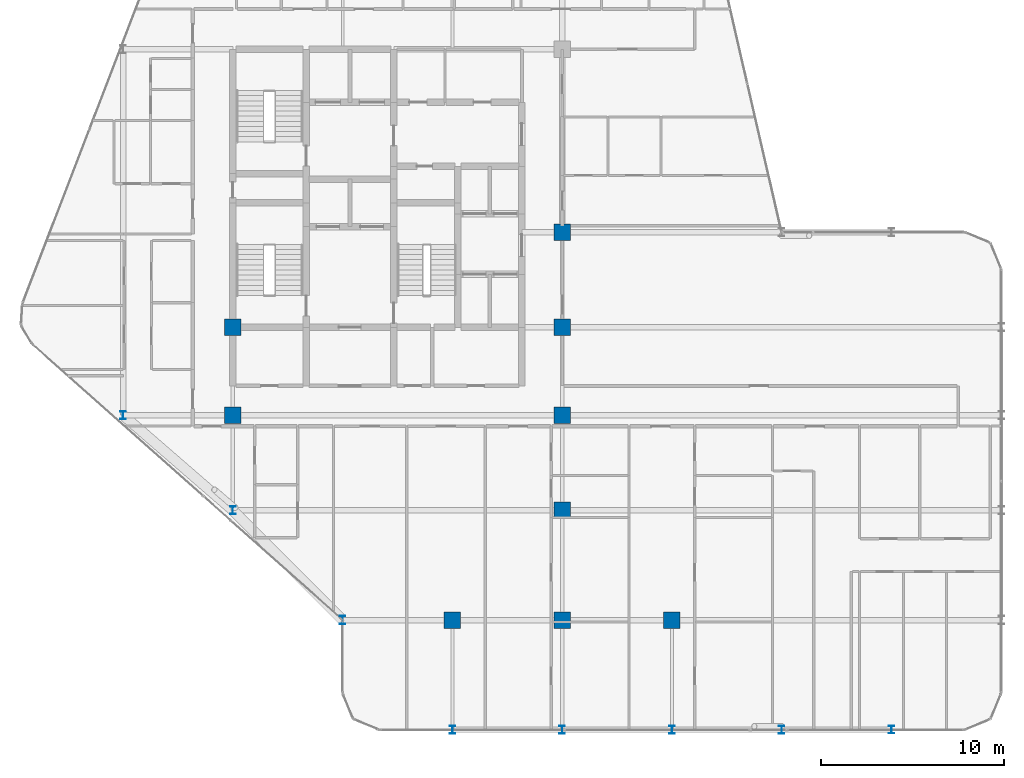
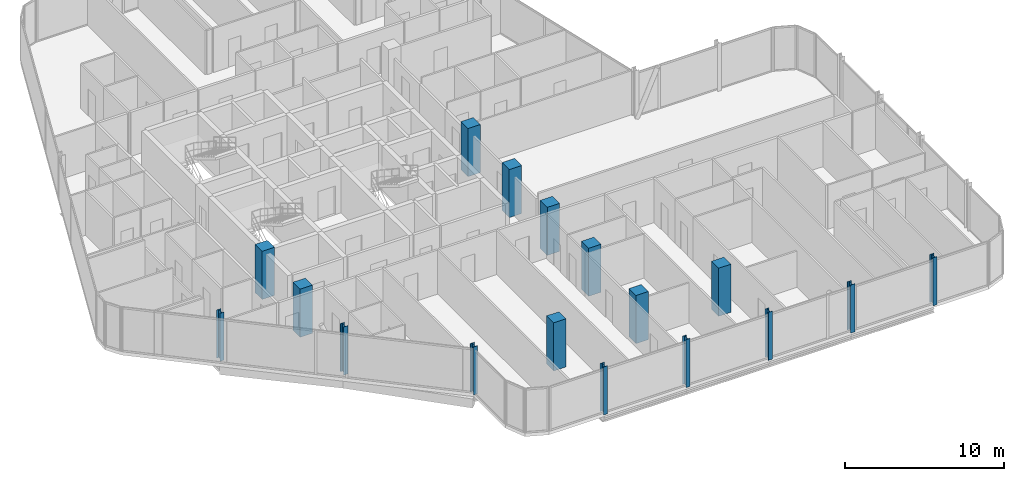
# One storey, part 1 of 29: 17 columns.
"""IFC4 building model written with IfcOpenShell, lengths in metres."""

from ifc_helpers import new_model, si_unit, direction, frame, origin, origin_2d, place, context, subcontext, project, spatial, rectangle, i_section, extrude, material, material_profile, profile_set, type_object, element, save


model = new_model("IFC4")

# Units and contexts
model_context = context("Model", 3, precision=1e-05, world=origin(), true_north=direction((0.0, 1.0)))
body_context = subcontext(model_context, "Body", "Model", "MODEL_VIEW")
ifc_project = project(units=[si_unit("LENGTHUNIT", "METRE"), si_unit("AREAUNIT", "SQUARE_METRE"), si_unit("VOLUMEUNIT", "CUBIC_METRE"), si_unit("PLANEANGLEUNIT", "RADIAN"), si_unit("MASSUNIT", "GRAM", prefix="KILO")], contexts=[model_context])

# Site, building, storey
site_placement = place(None, origin())
site = spatial("IfcSite", under=ifc_project, at=site_placement, CompositionType="ELEMENT")
building_placement = place(site_placement, origin())
building = spatial("IfcBuilding", under=site, at=building_placement, Name="Keshet Zoharim Tower", CompositionType="ELEMENT")
storey_placement = place(building_placement, frame((0.0, 0.0, 199.5)))
storey = spatial("IfcBuildingStorey", under=building, at=storey_placement, Name="L49", CompositionType="ELEMENT", Elevation=199.5)

# Columns
ifc_material_1 = material(Name="Steel S355", Category="steel")
ifc_material_profile_1 = material_profile(ifc_material_1, i_section(OverallWidth=0.300048828125, OverallDepth=0.449951171875, WebThickness=0.013916015625, FlangeThickness=0.02587890625, FilletRadius=0.027099609375, at=origin_2d()), Name="HEB450")
ifc_profile_set_1 = profile_set([ifc_material_profile_1], Name="Steel S355")
column_type_1 = type_object("IfcColumnType", Name="COL-HEB450", PredefinedType="COLUMN", material=ifc_profile_set_1)
for number, where, z_axis, x_axis, name in (
    (1, (9.0, 17.89990234375, 0.0), (0.0, 0.0, 1.0), (1.0, 0.0, 0.0), "L49 Column 2D"),
    (2, (15.0, 12.699951171875, 0.0), (0.0, 0.0, 1.0), (1.0, 0.0, 0.0), "L49 Column 3C"),
    (3, (21.0, 6.699951171875, 0.0), (0.0, 0.0, 1.0), (1.0, 0.0, 0.0), "L49 Column 4B"),
    (4, (27.0, 0.699951171875, 0.0), (0.0, 0.0, 1.0), (1.0, 0.0, 0.0), "L49 Column 5A"),
    (5, (33.0, 0.699951171875, 0.0), (0.0, 0.0, 1.0), (1.0, 0.0, 0.0), "L49 Column 6A"),
    (6, (39.0, 0.699951171875, 0.0), (0.0, 0.0, 1.0), (1.0, 0.0, 0.0), "L49 Column 7A"),
    (7, (45.0, 0.699951171875, 0.0), (0.0, 0.0, 1.0), (1.0, 0.0, 0.0), "L49 Column 8A"),
    (8, (51.0, 0.699951171875, 0.0), (0.0, 0.0, 1.0), (1.0, 0.0, 0.0), "L49 Column 9A"),
):
    element("IfcColumn", number, at=place(storey_placement, frame(where, z_axis=z_axis, x_axis=x_axis)), inside=storey, type_object=column_type_1, Name=name, PredefinedType="COLUMN", context=body_context, shape_type="SweptSolid", body=[
        extrude(i_section(OverallWidth=0.300048828125, OverallDepth=0.449951171875, WebThickness=0.013916015625, FlangeThickness=0.02587890625, FilletRadius=0.027099609375, at=origin_2d()), origin(), (0.0, 0.0, 1.0), 3.699951171875),
    ])
ifc_material_2 = material(Name="Concrete C60/75", Category="concrete")
ifc_material_profile_2 = material_profile(ifc_material_2, rectangle(XDim=0.89990234375, YDim=0.89990234375, at=origin_2d()), Name="RC900x900")
ifc_profile_set_2 = profile_set([ifc_material_profile_2], Name="Concrete C60/75")
column_type_2 = type_object("IfcColumnType", Name="COL-RC900", PredefinedType="COLUMN", material=ifc_profile_set_2)
for number, where, z_axis, x_axis, name in (
    (9, (15.0, 17.89990234375, 0.0), (0.0, 0.0, 1.0), (1.0, 0.0, 0.0), "L49 Column 3D"),
    (10, (15.0, 22.699951171875, 0.0), (0.0, 0.0, 1.0), (1.0, 0.0, 0.0), "L49 Column 3E"),
    (11, (27.0, 6.699951171875, 0.0), (0.0, 0.0, 1.0), (1.0, 0.0, 0.0), "L49 Column 5B"),
    (12, (33.0, 6.699951171875, 0.0), (0.0, 0.0, 1.0), (1.0, 0.0, 0.0), "L49 Column 6B"),
    (13, (33.0, 12.699951171875, 0.0), (0.0, 0.0, 1.0), (1.0, 0.0, 0.0), "L49 Column 6C"),
    (14, (33.0, 17.89990234375, 0.0), (0.0, 0.0, 1.0), (1.0, 0.0, 0.0), "L49 Column 6D"),
    (15, (33.0, 22.699951171875, 0.0), (0.0, 0.0, 1.0), (1.0, 0.0, 0.0), "L49 Column 6E"),
    (16, (33.0, 27.89990234375, 0.0), (0.0, 0.0, 1.0), (1.0, 0.0, 0.0), "L49 Column 6F"),
    (17, (39.0, 6.699951171875, 0.0), (0.0, 0.0, 1.0), (1.0, 0.0, 0.0), "L49 Column 7B"),
):
    element("IfcColumn", number, at=place(storey_placement, frame(where, z_axis=z_axis, x_axis=x_axis)), inside=storey, type_object=column_type_2, Name=name, PredefinedType="COLUMN", context=body_context, shape_type="SweptSolid", body=[
        extrude(rectangle(XDim=0.89990234375, YDim=0.89990234375, at=origin_2d()), origin(), (0.0, 0.0, 1.0), 3.699951171875),
    ])

save(model, "model.ifc")
